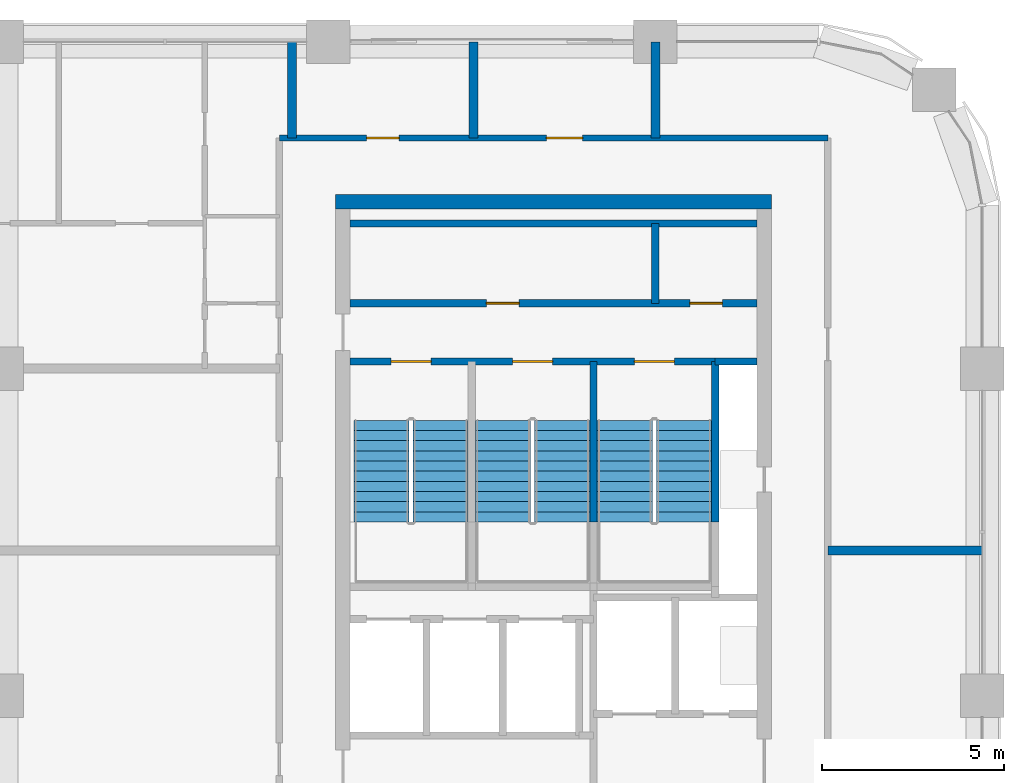
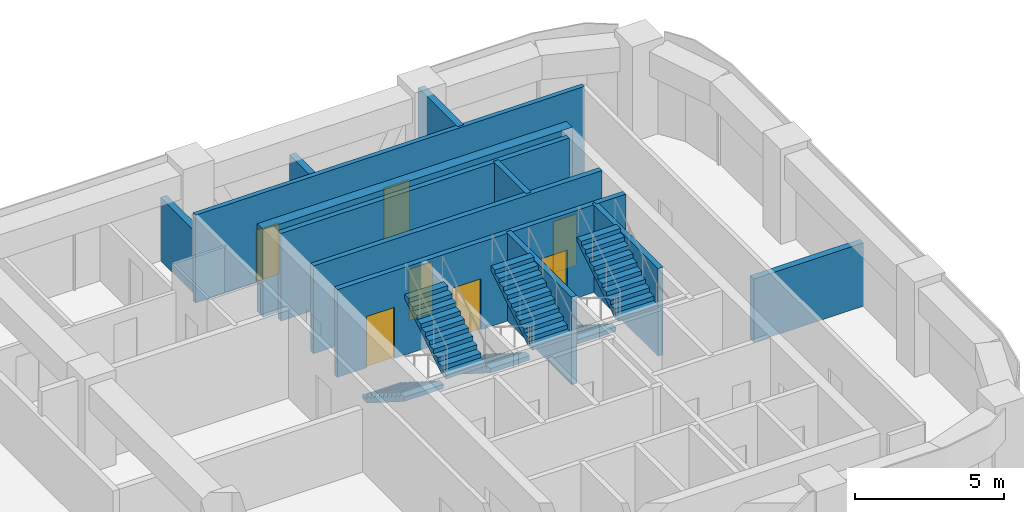
# One storey, part 9 of 10: 13 walls, 7 doors, 6 stair flights, 7 openings, 3 elements without a shape of their own.
"""IFC4 building model written with IfcOpenShell, lengths in metres."""

from ifc_helpers import new_model, si_unit, direction, frame, frame_2d, origin, place, context, subcontext, project, spatial, polyline, rectangle, outline, extrude, material, layer, layer_set, type_object, element, fill, aggregate, save


model = new_model("IFC4")

# Units and contexts
model_context = context("Model", 3, precision=1e-05, world=origin(), true_north=direction((0.0, 1.0)))
body_context = subcontext(model_context, "Body", "Model", "MODEL_VIEW")
ifc_project = project(units=[si_unit("LENGTHUNIT", "METRE"), si_unit("AREAUNIT", "SQUARE_METRE"), si_unit("VOLUMEUNIT", "CUBIC_METRE"), si_unit("PLANEANGLEUNIT", "RADIAN"), si_unit("MASSUNIT", "GRAM", prefix="KILO")], contexts=[model_context])

# Site, building, storey
site_placement = place(None, origin())
site = spatial("IfcSite", under=ifc_project, at=site_placement, CompositionType="ELEMENT")
building_placement = place(site_placement, origin())
building = spatial("IfcBuilding", under=site, at=building_placement, Name="Tessera Arch", CompositionType="ELEMENT")
storey_placement = place(building_placement, frame((0.0, 0.0, 261.800048828125)))
storey = spatial("IfcBuildingStorey", under=building, at=storey_placement, Name="L63", CompositionType="ELEMENT", Elevation=261.800048828125)

# Wall
ifc_material_1 = material(Name="Gypsum board on steel stud", Category="steel")
ifc_layer_1 = layer(ifc_material_1, 0.125)
ifc_layer_set_1 = layer_set([ifc_layer_1], Name="Core partition 125 EI 60")
wall_type_1 = type_object("IfcWallType", Name="Core partition 125 EI 60", PredefinedType="PARTITIONING", material=ifc_layer_set_1)
wall_1_placement = place(storey_placement, frame((45.0, 46.800048828125, 0.0), z_axis=(0.0, 0.0, 1.0), x_axis=(0.0, 1.0, 0.0)))
element("IfcWall", 1, at=wall_1_placement, inside=storey, type_object=wall_type_1, Name="L63 C1 partition wall 12", PredefinedType="PARTITIONING", context=body_context, shape_type="SweptSolid", body=[
    extrude(rectangle(XDim=2.199951171875, YDim=0.199951171875, at=frame_2d((1.10009765625, 0.0))), origin(), (0.0, 0.0, 1.0), 3.599853515625),
])

# Wall, openings, doors
wall_2_placement = place(storey_placement, frame((36.60009765625, 46.800048828125, 0.0), z_axis=(0.0, 0.0, 1.0), x_axis=(1.0, 0.0, 0.0)))
wall_2 = element("IfcWall", 2, at=wall_2_placement, inside=storey, type_object=wall_type_1, Name="L63 C1 partition wall 31", PredefinedType="PARTITIONING", context=body_context, shape_type="SweptSolid", body=[
    extrude(rectangle(XDim=11.199951171875, YDim=0.199951171875, at=frame_2d((5.60009765625, 0.0))), origin(), (0.0, 0.0, 1.0), 3.599853515625),
])
opening_1_placement = place(wall_2_placement, frame((3.75, 0.0, 0.0)))
opening_1 = element("IfcOpeningElement", 3, at=opening_1_placement, cuts=wall_2, Name="Opening L63-C18", PredefinedType="OPENING", context=body_context, shape_type="SweptSolid", body=[
    extrude(rectangle(XDim=0.89990234375, YDim=2.10009765625, at=frame_2d((0.449951171875, 1.050048828125))), frame((0.0, 0.10986328125, 0.0), z_axis=(0.0, -1.0, 0.0), x_axis=(1.0, 0.0, 0.0)), (0.0, 0.0, 1.0), 0.219970703125),
])
opening_2_placement = place(wall_2_placement, frame((9.35009765625, 0.0, 0.0)))
opening_2 = element("IfcOpeningElement", 4, at=opening_2_placement, cuts=wall_2, Name="Opening L63-C19", PredefinedType="OPENING", context=body_context, shape_type="SweptSolid", body=[
    extrude(rectangle(XDim=0.89990234375, YDim=2.10009765625, at=frame_2d((0.449951171875, 1.050048828125))), frame((0.0, 0.10986328125, 0.0), z_axis=(0.0, -1.0, 0.0), x_axis=(1.0, 0.0, 0.0)), (0.0, 0.0, 1.0), 0.219970703125),
])
ifc_material_2 = material(Name="Steel door leaf", Category="steel")
door_type_1 = type_object("IfcDoorType", Name="Store door FD30S 900 x 2100", OperationType="SINGLE_SWING_LEFT", PredefinedType="DOOR", material=ifc_material_2)
door_1_placement = place(opening_1_placement, origin())
door_1 = element("IfcDoor", 5, at=door_1_placement, inside=storey, type_object=door_type_1, Name="L63 C1 door 18 C18 type D09", OperationType="SINGLE_SWING_LEFT", OverallHeight=2.10009765625, OverallWidth=0.89990234375, PredefinedType="DOOR", context=body_context, shape_type="SweptSolid", body=[
    extrude(rectangle(XDim=0.89990234375, YDim=2.10009765625, at=frame_2d((0.449951171875, 1.050048828125))), frame((0.0, 0.02490234375, 0.0), z_axis=(0.0, -1.0, 0.0), x_axis=(1.0, 0.0, 0.0)), (0.0, 0.0, 1.0), 0.050048828125),
])
fill(opening_1, door_1)
door_2_placement = place(opening_2_placement, origin())
door_2 = element("IfcDoor", 6, at=door_2_placement, inside=storey, type_object=door_type_1, Name="L63 C1 door 19 C19 type D09", OperationType="SINGLE_SWING_RIGHT", OverallHeight=2.10009765625, OverallWidth=0.89990234375, PredefinedType="DOOR", context=body_context, shape_type="SweptSolid", body=[
    extrude(rectangle(XDim=0.89990234375, YDim=2.10009765625, at=frame_2d((0.449951171875, 1.050048828125))), frame((0.0, 0.02490234375, 0.0), z_axis=(0.0, -1.0, 0.0), x_axis=(1.0, 0.0, 0.0)), (0.0, 0.0, 1.0), 0.050048828125),
])
fill(opening_2, door_2)

# Walls
wall_3_placement = place(storey_placement, frame((36.60009765625, 49.0, 0.0), z_axis=(0.0, 0.0, 1.0), x_axis=(1.0, 0.0, 0.0)))
element("IfcWall", 7, at=wall_3_placement, inside=storey, type_object=wall_type_1, Name="L63 C1 partition wall 32", PredefinedType="PARTITIONING", context=body_context, shape_type="SweptSolid", body=[
    extrude(rectangle(XDim=11.199951171875, YDim=0.199951171875, at=frame_2d((5.60009765625, 0.0))), origin(), (0.0, 0.0, 1.0), 3.599853515625),
])
ifc_material_3 = material(Name="Concrete C50/60", Category="concrete")
ifc_layer_2 = layer(ifc_material_3, 0.39990234375)
ifc_layer_set_2 = layer_set([ifc_layer_2], Name="Core shell wall 400 C50-60")
wall_type_2 = type_object("IfcWallType", Name="Core shell wall 400 C50-60", PredefinedType="SHEAR", material=ifc_layer_set_2)
wall_4_placement = place(storey_placement, frame((36.199951171875, 49.60009765625, 0.0), z_axis=(0.0, 0.0, 1.0), x_axis=(1.0, 0.0, 0.0)))
element("IfcWall", 8, at=wall_4_placement, inside=storey, type_object=wall_type_2, Name="L63 C1 core wall N", PredefinedType="SHEAR", context=body_context, shape_type="SweptSolid", body=[
    extrude(rectangle(XDim=12.0, YDim=0.39990234375, at=frame_2d((6.0, 0.0))), origin(), (0.0, 0.0, 1.0), 3.599853515625),
])

# Wall, openings, doors
ifc_material_4 = material(Name="Gypsum board on deep steel stud with mineral wool", Category="steel")
ifc_layer_3 = layer(ifc_material_4, 0.175048828125)
ifc_layer_set_3 = layer_set([ifc_layer_3], Name="Corridor wall 175 EI 60")
wall_type_3 = type_object("IfcWallType", Name="Corridor wall 175 EI 60", PredefinedType="PARTITIONING", material=ifc_layer_set_3)
wall_5_placement = place(storey_placement, frame((34.64990234375, 51.35009765625, 0.0), z_axis=(0.0, 0.0, 1.0), x_axis=(1.0, 0.0, 0.0)))
wall_5 = element("IfcWall", 9, at=wall_5_placement, inside=storey, type_object=wall_type_3, Name="L63 partition 3", PredefinedType="PARTITIONING", context=body_context, shape_type="SweptSolid", body=[
    extrude(rectangle(XDim=15.10009765625, YDim=0.175048828125, at=frame_2d((7.550048828125, 0.0))), origin(), (0.0, 0.0, 1.0), 3.599853515625),
])
opening_3_placement = place(wall_5_placement, frame((2.39990234375, 0.0, 0.0)))
opening_3 = element("IfcOpeningElement", 10, at=opening_3_placement, cuts=wall_5, Name="Opening L63-D012", PredefinedType="OPENING", context=body_context, shape_type="SweptSolid", body=[
    extrude(rectangle(XDim=0.89990234375, YDim=2.10009765625, at=frame_2d((0.449951171875, 1.050048828125))), frame((0.0, 0.097412109375, 0.0), z_axis=(0.0, -1.0, 0.0), x_axis=(1.0, 0.0, 0.0)), (0.0, 0.0, 1.0), 0.195068359375),
])
opening_4_placement = place(wall_5_placement, frame((7.35009765625, 0.0, 0.0)))
opening_4 = element("IfcOpeningElement", 11, at=opening_4_placement, cuts=wall_5, Name="Opening L63-D013", PredefinedType="OPENING", context=body_context, shape_type="SweptSolid", body=[
    extrude(rectangle(XDim=1.0, YDim=2.10009765625, at=frame_2d((0.5, 1.050048828125))), frame((0.0, 0.097412109375, 0.0), z_axis=(0.0, -1.0, 0.0), x_axis=(1.0, 0.0, 0.0)), (0.0, 0.0, 1.0), 0.195068359375),
])
ifc_material_5 = material(Name="Fire-rated door leaf")
door_type_2 = type_object("IfcDoorType", Name="Entrance door FD30S 1000 x 2100", OperationType="SINGLE_SWING_LEFT", PredefinedType="DOOR", material=ifc_material_5)
door_3_placement = place(opening_4_placement, origin())
door_3 = element("IfcDoor", 12, at=door_3_placement, inside=storey, type_object=door_type_2, Name="L63 door D013 type D03", OperationType="SINGLE_SWING_RIGHT", OverallHeight=2.10009765625, OverallWidth=1.0, PredefinedType="DOOR", context=body_context, shape_type="SweptSolid", body=[
    extrude(rectangle(XDim=1.0, YDim=2.10009765625, at=frame_2d((0.5, 1.050048828125))), frame((0.0, 0.02490234375, 0.0), z_axis=(0.0, -1.0, 0.0), x_axis=(1.0, 0.0, 0.0)), (0.0, 0.0, 1.0), 0.050048828125),
])
fill(opening_4, door_3)
ifc_material_6 = material(Name="Timber door leaf", Category="wood")
door_type_3 = type_object("IfcDoorType", Name="Room door 900 x 2100", OperationType="SINGLE_SWING_LEFT", PredefinedType="DOOR", material=ifc_material_6)
door_4_placement = place(opening_3_placement, origin())
door_4 = element("IfcDoor", 13, at=door_4_placement, inside=storey, type_object=door_type_3, Name="L63 door D012 type D01", OperationType="SINGLE_SWING_LEFT", OverallHeight=2.10009765625, OverallWidth=0.89990234375, PredefinedType="DOOR", context=body_context, shape_type="SweptSolid", body=[
    extrude(rectangle(XDim=0.89990234375, YDim=2.10009765625, at=frame_2d((0.449951171875, 1.050048828125))), frame((0.0, 0.02490234375, 0.0), z_axis=(0.0, -1.0, 0.0), x_axis=(1.0, 0.0, 0.0)), (0.0, 0.0, 1.0), 0.050048828125),
])
fill(opening_3, door_4)

# Walls
ifc_material_7 = material(Name="Double gypsum board on twin steel stud with acoustic mineral wool", Category="steel")
ifc_layer_4 = layer(ifc_material_7, 0.25)
ifc_layer_set_4 = layer_set([ifc_layer_4], Name="Party wall 250 EI 60")
wall_type_4 = type_object("IfcWallType", Name="Party wall 250 EI 60", PredefinedType="PARTITIONING", material=ifc_layer_set_4)
wall_6_placement = place(storey_placement, frame((49.75, 40.0, 0.0), z_axis=(0.0, 0.0, 1.0), x_axis=(1.0, 0.0, 0.0)))
element("IfcWall", 14, at=wall_6_placement, inside=storey, type_object=wall_type_4, Name="L63 partition 11", PredefinedType="PARTITIONING", context=body_context, shape_type="SweptSolid", body=[
    extrude(rectangle(XDim=4.25, YDim=0.25, at=frame_2d((2.125, 0.0))), origin(), (0.0, 0.0, 1.0), 2.599853515625),
])
for number, where, z_axis, x_axis, name in (
    (15, (35.0, 51.35009765625, 0.0), (0.0, 0.0, 1.0), (0.0, 1.0, 0.0), "L63 partition 15"),
    (16, (40.0, 51.35009765625, 0.0), (0.0, 0.0, 1.0), (0.0, 1.0, 0.0), "L63 partition 16"),
):
    element("IfcWall", number, at=place(storey_placement, frame(where, z_axis=z_axis, x_axis=x_axis)), inside=storey, type_object=wall_type_4, Name=name, PredefinedType="PARTITIONING", context=body_context, shape_type="SweptSolid", body=[
        extrude(rectangle(XDim=2.64990234375, YDim=0.25, at=frame_2d((1.324951171875, 0.0))), origin(), (0.0, 0.0, 1.0), 2.599853515625),
    ])
wall_7_placement = place(storey_placement, frame((45.0, 51.35009765625, 0.0), z_axis=(0.0, 0.0, 1.0), x_axis=(0.0, 1.0, 0.0)))
element("IfcWall", 17, at=wall_7_placement, inside=storey, type_object=wall_type_4, Name="L63 partition 17", PredefinedType="PARTITIONING", context=body_context, shape_type="SweptSolid", body=[
    extrude(rectangle(XDim=2.64990234375, YDim=0.25, at=frame_2d((1.324951171875, 0.0))), origin(), (0.0, 0.0, 1.0), 3.599853515625),
])
ifc_material_8 = material(Name="Concrete C40/50", Category="concrete")
ifc_layer_5 = layer(ifc_material_8, 0.199951171875)
ifc_layer_set_5 = layer_set([ifc_layer_5], Name="Shaft wall 200 EI 120")
wall_type_5 = type_object("IfcWallType", Name="Shaft wall 200 EI 120", PredefinedType="SOLIDWALL", material=ifc_layer_set_5)
wall_8_placement = place(storey_placement, frame((46.64990234375, 45.199951171875, 0.0), z_axis=(0.0, 0.0, 1.0), x_axis=(1.0, 0.0, 0.0)))
element("IfcWall", 18, at=wall_8_placement, inside=storey, type_object=wall_type_5, Name="L63 C1 shaft wall 29", PredefinedType="SOLIDWALL", context=body_context, shape_type="SweptSolid", body=[
    extrude(rectangle(XDim=1.150146484375, YDim=0.199951171875, at=frame_2d((0.5751953125, 0.0))), origin(), (0.0, 0.0, 1.0), 3.599853515625),
])
ifc_material_9 = material(Name="Concrete C40/50", Category="concrete")
ifc_layer_6 = layer(ifc_material_9, 0.199951171875)
ifc_layer_set_6 = layer_set([ifc_layer_6], Name="Stair well wall 200 REI 180")
wall_type_6 = type_object("IfcWallType", Name="Stair well wall 200 REI 180", PredefinedType="SOLIDWALL", material=ifc_layer_set_6)
for number, where, z_axis, x_axis, name in (
    (19, (43.300048828125, 40.780029296875, 0.0), (0.0, 0.0, 1.0), (0.0, 1.0, 0.0), "L63 C1 shaft wall 11"),
    (20, (46.64990234375, 40.780029296875, 0.0), (0.0, 0.0, 1.0), (0.0, 1.0, 0.0), "L63 C1 shaft wall 17"),
):
    element("IfcWall", number, at=place(storey_placement, frame(where, z_axis=z_axis, x_axis=x_axis)), inside=storey, type_object=wall_type_6, Name=name, PredefinedType="SOLIDWALL", context=body_context, shape_type="SweptSolid", body=[
        extrude(rectangle(XDim=4.419921875, YDim=0.199951171875, at=frame_2d((2.2099609375, 0.0))), origin(), (0.0, 0.0, 1.0), 3.599853515625),
    ])

# Wall, openings, doors
wall_9_placement = place(storey_placement, frame((36.60009765625, 45.199951171875, 0.0), z_axis=(0.0, 0.0, 1.0), x_axis=(1.0, 0.0, 0.0)))
wall_9 = element("IfcWall", 21, at=wall_9_placement, inside=storey, type_object=wall_type_6, Name="L63 C1 shaft wall 30", PredefinedType="SOLIDWALL", context=body_context, shape_type="SweptSolid", body=[
    extrude(rectangle(XDim=10.0498046875, YDim=0.199951171875, at=frame_2d((5.02490234375, 0.0))), origin(), (0.0, 0.0, 1.0), 3.599853515625),
])
opening_5_placement = place(wall_9_placement, frame((1.125, 0.0, 0.0)))
opening_5 = element("IfcOpeningElement", 22, at=opening_5_placement, cuts=wall_9, Name="Opening L63-C11", PredefinedType="OPENING", context=body_context, shape_type="SweptSolid", body=[
    extrude(rectangle(XDim=1.10009765625, YDim=2.10009765625, at=frame_2d((0.550048828125, 1.050048828125))), frame((0.0, 0.10986328125, 0.0), z_axis=(0.0, -1.0, 0.0), x_axis=(1.0, 0.0, 0.0)), (0.0, 0.0, 1.0), 0.219970703125),
])
opening_6_placement = place(wall_9_placement, frame((4.47509765625, 0.0, 0.0)))
opening_6 = element("IfcOpeningElement", 23, at=opening_6_placement, cuts=wall_9, Name="Opening L63-C12", PredefinedType="OPENING", context=body_context, shape_type="SweptSolid", body=[
    extrude(rectangle(XDim=1.10009765625, YDim=2.10009765625, at=frame_2d((0.550048828125, 1.050048828125))), frame((0.0, 0.10986328125, 0.0), z_axis=(0.0, -1.0, 0.0), x_axis=(1.0, 0.0, 0.0)), (0.0, 0.0, 1.0), 0.219970703125),
])
opening_7_placement = place(wall_9_placement, frame((7.824951171875, 0.0, 0.0)))
opening_7 = element("IfcOpeningElement", 24, at=opening_7_placement, cuts=wall_9, Name="Opening L63-C13", PredefinedType="OPENING", context=body_context, shape_type="SweptSolid", body=[
    extrude(rectangle(XDim=1.10009765625, YDim=2.10009765625, at=frame_2d((0.550048828125, 1.050048828125))), frame((0.0, 0.10986328125, 0.0), z_axis=(0.0, -1.0, 0.0), x_axis=(1.0, 0.0, 0.0)), (0.0, 0.0, 1.0), 0.219970703125),
])
ifc_material_10 = material(Name="Steel door leaf", Category="steel")
door_type_4 = type_object("IfcDoorType", Name="Stair door FD60 1100 x 2100", OperationType="SINGLE_SWING_LEFT", PredefinedType="DOOR", material=ifc_material_10)
door_5_placement = place(opening_5_placement, origin())
door_5 = element("IfcDoor", 25, at=door_5_placement, inside=storey, type_object=door_type_4, Name="L63 C1 door 11 C11 type D05", OperationType="SINGLE_SWING_LEFT", OverallHeight=2.10009765625, OverallWidth=1.10009765625, PredefinedType="DOOR", context=body_context, shape_type="SweptSolid", body=[
    extrude(rectangle(XDim=1.10009765625, YDim=2.10009765625, at=frame_2d((0.550048828125, 1.050048828125))), frame((0.0, 0.02490234375, 0.0), z_axis=(0.0, -1.0, 0.0), x_axis=(1.0, 0.0, 0.0)), (0.0, 0.0, 1.0), 0.050048828125),
])
fill(opening_5, door_5)
door_6_placement = place(opening_6_placement, origin())
door_6 = element("IfcDoor", 26, at=door_6_placement, inside=storey, type_object=door_type_4, Name="L63 C1 door 12 C12 type D05", OperationType="SINGLE_SWING_RIGHT", OverallHeight=2.10009765625, OverallWidth=1.10009765625, PredefinedType="DOOR", context=body_context, shape_type="SweptSolid", body=[
    extrude(rectangle(XDim=1.10009765625, YDim=2.10009765625, at=frame_2d((0.550048828125, 1.050048828125))), frame((0.0, 0.02490234375, 0.0), z_axis=(0.0, -1.0, 0.0), x_axis=(1.0, 0.0, 0.0)), (0.0, 0.0, 1.0), 0.050048828125),
])
fill(opening_6, door_6)
door_7_placement = place(opening_7_placement, origin())
door_7 = element("IfcDoor", 27, at=door_7_placement, inside=storey, type_object=door_type_4, Name="L63 C1 door 13 C13 type D05", OperationType="SINGLE_SWING_RIGHT", OverallHeight=2.10009765625, OverallWidth=1.10009765625, PredefinedType="DOOR", context=body_context, shape_type="SweptSolid", body=[
    extrude(rectangle(XDim=1.10009765625, YDim=2.10009765625, at=frame_2d((0.550048828125, 1.050048828125))), frame((0.0, 0.02490234375, 0.0), z_axis=(0.0, -1.0, 0.0), x_axis=(1.0, 0.0, 0.0)), (0.0, 0.0, 1.0), 0.050048828125),
])
fill(opening_7, door_7)

# Stair, stair flights
ifc_material_11 = material(Name="Concrete C40/50", Category="concrete")
stair_type = type_object("IfcStairType", Name="Dogleg stair 1520", PredefinedType="HALF_TURN_STAIR", material=ifc_material_11)
stair_1_placement = place(storey_placement, origin())
stair_1 = element("IfcStair", 28, at=stair_1_placement, inside=storey, type_object=stair_type, Name="L63 S1a", PredefinedType="HALF_TURN_STAIR")
ifc_material_12 = material(Name="Concrete C40/50", Category="concrete")
stair_flight_type = type_object("IfcStairFlightType", Name="Stair flight 1520", PredefinedType="STRAIGHT", material=ifc_material_12)
stair_flight_1_placement = place(storey_placement, frame((37.4599609375, 43.580078125, 0.0), z_axis=(0.0, 0.0, 1.0), x_axis=(0.0, -1.0, 0.0)))
stair_flight_1 = element("IfcStairFlight", 29, at=stair_flight_1_placement, type_object=stair_flight_type, Name="S1a flight 1", NumberOfRisers=11, NumberOfTreads=10, PredefinedType="STRAIGHT", RiserHeight=0.177272727, TreadLength=0.28, context=body_context, shape_type="SweptSolid", body=[
    extrude(outline(polyline([(0.0, 0.0), (0.0, 0.17724609375), (0.280029296875, 0.17724609375), (0.280029296875, 0.3544921875), (0.56005859375, 0.3544921875), (0.56005859375, 0.53173828125), (0.840087890625, 0.53173828125), (0.840087890625, 0.708984375), (1.1201171875, 0.708984375), (1.1201171875, 0.886474609375), (1.39990234375, 0.886474609375), (1.39990234375, 1.063720703125), (1.679931640625, 1.063720703125), (1.679931640625, 1.240966796875), (1.9599609375, 1.240966796875), (1.9599609375, 1.418212890625), (2.239990234375, 1.418212890625), (2.239990234375, 1.595458984375), (2.52001953125, 1.595458984375), (2.52001953125, 1.772705078125), (2.800048828125, 1.772705078125), (2.800048828125, 1.949951171875), (2.800048828125, 1.59521484375), (0.2802734375, 0.0), (0.0, 0.0)])), frame((0.0, 0.760009765625, 0.0), z_axis=(0.0, -1.0, 0.0), x_axis=(1.0, 0.0, 0.0)), (0.0, 0.0, 1.0), 1.52001953125),
])
stair_flight_2_placement = place(storey_placement, frame((39.090087890625, 40.780029296875, 1.949951171875), z_axis=(0.0, 0.0, 1.0), x_axis=(0.0, 1.0, 0.0)))
stair_flight_2 = element("IfcStairFlight", 30, at=stair_flight_2_placement, type_object=stair_flight_type, Name="S1a flight 2", NumberOfRisers=11, NumberOfTreads=10, PredefinedType="STRAIGHT", RiserHeight=0.177272727, TreadLength=0.28, context=body_context, shape_type="SweptSolid", body=[
    extrude(outline(polyline([(0.0, 0.0), (0.0, 0.17724609375), (0.280029296875, 0.17724609375), (0.280029296875, 0.3544921875), (0.56005859375, 0.3544921875), (0.56005859375, 0.53173828125), (0.840087890625, 0.53173828125), (0.840087890625, 0.708984375), (1.1201171875, 0.708984375), (1.1201171875, 0.886474609375), (1.39990234375, 0.886474609375), (1.39990234375, 1.063720703125), (1.679931640625, 1.063720703125), (1.679931640625, 1.240966796875), (1.9599609375, 1.240966796875), (1.9599609375, 1.418212890625), (2.239990234375, 1.418212890625), (2.239990234375, 1.595458984375), (2.52001953125, 1.595458984375), (2.52001953125, 1.772705078125), (2.800048828125, 1.772705078125), (2.800048828125, 1.949951171875), (2.800048828125, 1.59521484375), (0.2802734375, 0.0), (0.0, 0.0)])), frame((0.0, 0.760009765625, 0.0), z_axis=(0.0, -1.0, 0.0), x_axis=(1.0, 0.0, 0.0)), (0.0, 0.0, 1.0), 1.52001953125),
])
aggregate(stair_1, [stair_flight_1, stair_flight_2])

stair_2_placement = place(storey_placement, origin())
stair_2 = element("IfcStair", 31, at=stair_2_placement, inside=storey, type_object=stair_type, Name="L63 S1b", PredefinedType="HALF_TURN_STAIR")
stair_flight_3_placement = place(storey_placement, frame((40.81005859375, 43.580078125, 0.0), z_axis=(0.0, 0.0, 1.0), x_axis=(0.0, -1.0, 0.0)))
stair_flight_3 = element("IfcStairFlight", 32, at=stair_flight_3_placement, type_object=stair_flight_type, Name="S1b flight 1", NumberOfRisers=11, NumberOfTreads=10, PredefinedType="STRAIGHT", RiserHeight=0.177272727, TreadLength=0.28, context=body_context, shape_type="SweptSolid", body=[
    extrude(outline(polyline([(0.0, 0.0), (0.0, 0.17724609375), (0.280029296875, 0.17724609375), (0.280029296875, 0.3544921875), (0.56005859375, 0.3544921875), (0.56005859375, 0.53173828125), (0.840087890625, 0.53173828125), (0.840087890625, 0.708984375), (1.1201171875, 0.708984375), (1.1201171875, 0.886474609375), (1.39990234375, 0.886474609375), (1.39990234375, 1.063720703125), (1.679931640625, 1.063720703125), (1.679931640625, 1.240966796875), (1.9599609375, 1.240966796875), (1.9599609375, 1.418212890625), (2.239990234375, 1.418212890625), (2.239990234375, 1.595458984375), (2.52001953125, 1.595458984375), (2.52001953125, 1.772705078125), (2.800048828125, 1.772705078125), (2.800048828125, 1.949951171875), (2.800048828125, 1.59521484375), (0.2802734375, 0.0), (0.0, 0.0)])), frame((0.0, 0.760009765625, 0.0), z_axis=(0.0, -1.0, 0.0), x_axis=(1.0, 0.0, 0.0)), (0.0, 0.0, 1.0), 1.52001953125),
])
stair_flight_4_placement = place(storey_placement, frame((42.43994140625, 40.780029296875, 1.949951171875), z_axis=(0.0, 0.0, 1.0), x_axis=(0.0, 1.0, 0.0)))
stair_flight_4 = element("IfcStairFlight", 33, at=stair_flight_4_placement, type_object=stair_flight_type, Name="S1b flight 2", NumberOfRisers=11, NumberOfTreads=10, PredefinedType="STRAIGHT", RiserHeight=0.177272727, TreadLength=0.28, context=body_context, shape_type="SweptSolid", body=[
    extrude(outline(polyline([(0.0, 0.0), (0.0, 0.17724609375), (0.280029296875, 0.17724609375), (0.280029296875, 0.3544921875), (0.56005859375, 0.3544921875), (0.56005859375, 0.53173828125), (0.840087890625, 0.53173828125), (0.840087890625, 0.708984375), (1.1201171875, 0.708984375), (1.1201171875, 0.886474609375), (1.39990234375, 0.886474609375), (1.39990234375, 1.063720703125), (1.679931640625, 1.063720703125), (1.679931640625, 1.240966796875), (1.9599609375, 1.240966796875), (1.9599609375, 1.418212890625), (2.239990234375, 1.418212890625), (2.239990234375, 1.595458984375), (2.52001953125, 1.595458984375), (2.52001953125, 1.772705078125), (2.800048828125, 1.772705078125), (2.800048828125, 1.949951171875), (2.800048828125, 1.59521484375), (0.2802734375, 0.0), (0.0, 0.0)])), frame((0.0, 0.760009765625, 0.0), z_axis=(0.0, -1.0, 0.0), x_axis=(1.0, 0.0, 0.0)), (0.0, 0.0, 1.0), 1.52001953125),
])
aggregate(stair_2, [stair_flight_3, stair_flight_4])

stair_3_placement = place(storey_placement, origin())
stair_3 = element("IfcStair", 34, at=stair_3_placement, inside=storey, type_object=stair_type, Name="L63 S1c", PredefinedType="HALF_TURN_STAIR")
stair_flight_5_placement = place(storey_placement, frame((44.159912109375, 43.580078125, 0.0), z_axis=(0.0, 0.0, 1.0), x_axis=(0.0, -1.0, 0.0)))
stair_flight_5 = element("IfcStairFlight", 35, at=stair_flight_5_placement, type_object=stair_flight_type, Name="S1c flight 1", NumberOfRisers=11, NumberOfTreads=10, PredefinedType="STRAIGHT", RiserHeight=0.177272727, TreadLength=0.28, context=body_context, shape_type="SweptSolid", body=[
    extrude(outline(polyline([(0.0, 0.0), (0.0, 0.17724609375), (0.280029296875, 0.17724609375), (0.280029296875, 0.3544921875), (0.56005859375, 0.3544921875), (0.56005859375, 0.53173828125), (0.840087890625, 0.53173828125), (0.840087890625, 0.708984375), (1.1201171875, 0.708984375), (1.1201171875, 0.886474609375), (1.39990234375, 0.886474609375), (1.39990234375, 1.063720703125), (1.679931640625, 1.063720703125), (1.679931640625, 1.240966796875), (1.9599609375, 1.240966796875), (1.9599609375, 1.418212890625), (2.239990234375, 1.418212890625), (2.239990234375, 1.595458984375), (2.52001953125, 1.595458984375), (2.52001953125, 1.772705078125), (2.800048828125, 1.772705078125), (2.800048828125, 1.949951171875), (2.800048828125, 1.59521484375), (0.2802734375, 0.0), (0.0, 0.0)])), frame((0.0, 0.760009765625, 0.0), z_axis=(0.0, -1.0, 0.0), x_axis=(1.0, 0.0, 0.0)), (0.0, 0.0, 1.0), 1.52001953125),
])
stair_flight_6_placement = place(storey_placement, frame((45.7900390625, 40.780029296875, 1.949951171875), z_axis=(0.0, 0.0, 1.0), x_axis=(0.0, 1.0, 0.0)))
stair_flight_6 = element("IfcStairFlight", 36, at=stair_flight_6_placement, type_object=stair_flight_type, Name="S1c flight 2", NumberOfRisers=11, NumberOfTreads=10, PredefinedType="STRAIGHT", RiserHeight=0.177272727, TreadLength=0.28, context=body_context, shape_type="SweptSolid", body=[
    extrude(outline(polyline([(0.0, 0.0), (0.0, 0.17724609375), (0.280029296875, 0.17724609375), (0.280029296875, 0.3544921875), (0.56005859375, 0.3544921875), (0.56005859375, 0.53173828125), (0.840087890625, 0.53173828125), (0.840087890625, 0.708984375), (1.1201171875, 0.708984375), (1.1201171875, 0.886474609375), (1.39990234375, 0.886474609375), (1.39990234375, 1.063720703125), (1.679931640625, 1.063720703125), (1.679931640625, 1.240966796875), (1.9599609375, 1.240966796875), (1.9599609375, 1.418212890625), (2.239990234375, 1.418212890625), (2.239990234375, 1.595458984375), (2.52001953125, 1.595458984375), (2.52001953125, 1.772705078125), (2.800048828125, 1.772705078125), (2.800048828125, 1.949951171875), (2.800048828125, 1.59521484375), (0.2802734375, 0.0), (0.0, 0.0)])), frame((0.0, 0.760009765625, 0.0), z_axis=(0.0, -1.0, 0.0), x_axis=(1.0, 0.0, 0.0)), (0.0, 0.0, 1.0), 1.52001953125),
])
aggregate(stair_3, [stair_flight_5, stair_flight_6])

save(model, "model.ifc")
